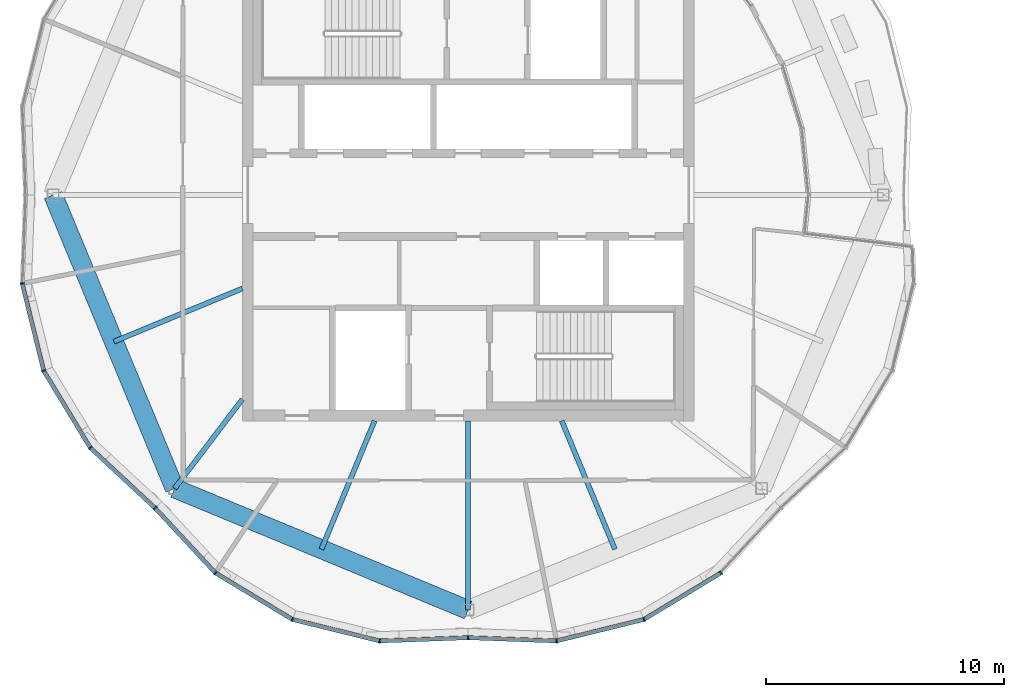
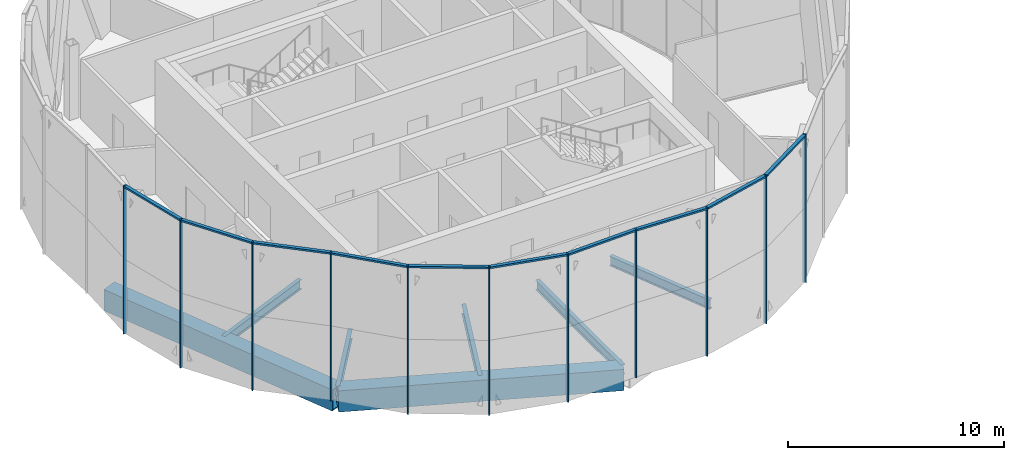
# One storey, part 3 of 24: 21 members, 7 beams, 3 elements without a shape of their own.
"""IFC4 building model written with IfcOpenShell, lengths in metres."""

from ifc_helpers import new_model, si_unit, direction, frame, origin, origin_2d, place, context, subcontext, project, spatial, rectangle, hollow_rectangle, i_section, extrude, material, material_profile, profile_set, type_object, element, aggregate, save


model = new_model("IFC4")

# Units and contexts
model_context = context("Model", 3, precision=1e-05, world=origin(), true_north=direction((0.0, 1.0)))
body_context = subcontext(model_context, "Body", "Model", "MODEL_VIEW")
ifc_project = project(units=[si_unit("LENGTHUNIT", "METRE"), si_unit("AREAUNIT", "SQUARE_METRE"), si_unit("VOLUMEUNIT", "CUBIC_METRE"), si_unit("PLANEANGLEUNIT", "RADIAN"), si_unit("MASSUNIT", "GRAM", prefix="KILO")], contexts=[model_context])

# Site, building, storey
site_placement = place(None, origin())
site = spatial("IfcSite", under=ifc_project, at=site_placement, CompositionType="ELEMENT")
building_placement = place(site_placement, origin())
building = spatial("IfcBuilding", under=site, at=building_placement, Name="Ogive Gate Towers", CompositionType="ELEMENT")
storey_placement = place(building_placement, frame((0.0, 0.0, 277.199951171875)))
storey = spatial("IfcBuildingStorey", under=building, at=storey_placement, Name="L65", CompositionType="ELEMENT", Elevation=277.199951171875)

# Beams
ifc_material_1 = material(Name="Steel SM460", Category="steel")
ifc_material_profile_1 = material_profile(ifc_material_1, hollow_rectangle(XDim=0.800048828125, YDim=1.199951171875, WallThickness=0.050048828125, at=origin_2d()), Name="BX 1200x800x50")
ifc_profile_set_1 = profile_set([ifc_material_profile_1], Name="Steel SM460")
beam_type_1 = type_object("IfcBeamType", Name="Edge girder BX 1200x800x50", PredefinedType="BEAM", material=ifc_profile_set_1)
for number, where, z_axis, x_axis, name in (
    (1, (-48.342529296875, -12.342529296875, -0.89990234375), (0.923876732551, -0.382690191996, 0.0), (0.382690191996, 0.923876732551, 0.0), "T1/L65/SBM017"),
    (2, (-53.455078125, 0.0, -0.89990234375), (0.382690191996, -0.923876732551, 0.0), (0.923876732551, 0.382690191996, 0.0), "T1/L65/SBM024"),
):
    element("IfcBeam", number, at=place(storey_placement, frame(where, z_axis=z_axis, x_axis=x_axis)), inside=storey, type_object=beam_type_1, Name=name, PredefinedType="BEAM", context=body_context, shape_type="SweptSolid", body=[
        extrude(hollow_rectangle(XDim=0.800048828125, YDim=1.199951171875, WallThickness=0.050048828125, at=origin_2d()), origin(), (0.0, 0.0, 1.0), 13.359619140625),
    ])
ifc_material_2 = material(Name="Steel SM355", Category="steel")
ifc_material_profile_2 = material_profile(ifc_material_2, i_section(OverallWidth=0.2099609375, OverallDepth=0.550048828125, WebThickness=0.010986328125, FlangeThickness=0.01708984375, FilletRadius=0.02392578125, at=origin_2d()), Name="IPE 550")
ifc_profile_set_2 = profile_set([ifc_material_profile_2], Name="Steel SM355")
beam_type_2 = type_object("IfcBeamType", Name="Radial floor beam IPE 550", PredefinedType="BEAM", material=ifc_profile_set_2)
beam_1_placement = place(storey_placement, frame((-45.5, -8.60009765625, -0.574951171875), z_axis=(-0.604851417257, -0.796338347087, 0.0), x_axis=(0.796338347087, -0.604851417257, 0.0)))
element("IfcBeam", 3, at=beam_1_placement, inside=storey, type_object=beam_type_2, Name="T1/L65/SBM001", PredefinedType="BEAM", context=body_context, shape_type="SweptSolid", body=[
    extrude(i_section(OverallWidth=0.2099609375, OverallDepth=0.550048828125, WebThickness=0.010986328125, FlangeThickness=0.01708984375, FilletRadius=0.02392578125, at=origin_2d()), origin(), (0.0, 0.0, 1.0), 4.699462890625),
])
beam_2_placement = place(storey_placement, frame((-39.93505859375, -9.5, -0.574951171875), z_axis=(-0.382701102209, -0.923872213225, 0.0), x_axis=(0.923872213225, -0.382701102209, 0.0)))
element("IfcBeam", 4, at=beam_2_placement, inside=storey, type_object=beam_type_2, Name="T1/L65/SBM002", PredefinedType="BEAM", context=body_context, shape_type="SweptSolid", body=[
    extrude(i_section(OverallWidth=0.2099609375, OverallDepth=0.550048828125, WebThickness=0.010986328125, FlangeThickness=0.01708984375, FilletRadius=0.02392578125, at=origin_2d()), origin(), (0.0, 0.0, 1.0), 5.843505859375),
])
beam_3_placement = place(storey_placement, frame((-36.0, -9.5, -0.574951171875), z_axis=(0.0, -1.0, 0.0), x_axis=(1.0, 0.0, 0.0)))
element("IfcBeam", 5, at=beam_3_placement, inside=storey, type_object=beam_type_2, Name="T1/L65/SBM003", PredefinedType="BEAM", context=body_context, shape_type="SweptSolid", body=[
    extrude(i_section(OverallWidth=0.2099609375, OverallDepth=0.550048828125, WebThickness=0.010986328125, FlangeThickness=0.01708984375, FilletRadius=0.02392578125, at=origin_2d()), origin(), (0.0, 0.0, 1.0), 7.955078125),
])
for number, where, z_axis, x_axis, name in (
    (6, (-32.06494140625, -9.5, -0.574951171875), (0.382701102209, -0.923872213225, 0.0), (0.923872213225, 0.382701102209, 0.0), "T1/L65/SBM004"),
    (7, (-45.5, -3.93505859375, -0.574951171875), (-0.923872213225, -0.382701102209, 0.0), (0.382701102209, -0.923872213225, 0.0), "T1/L65/SBM016"),
):
    element("IfcBeam", number, at=place(storey_placement, frame(where, z_axis=z_axis, x_axis=x_axis)), inside=storey, type_object=beam_type_2, Name=name, PredefinedType="BEAM", context=body_context, shape_type="SweptSolid", body=[
        extrude(i_section(OverallWidth=0.2099609375, OverallDepth=0.550048828125, WebThickness=0.010986328125, FlangeThickness=0.01708984375, FilletRadius=0.02392578125, at=origin_2d()), origin(), (0.0, 0.0, 1.0), 5.843505859375),
    ])

# Curtain wall, members
ifc_material_3 = material(Name="Pale metal aluminium", Category="aluminium")
curtain_wall_type = type_object("IfcCurtainWallType", Name="Tower unitised wall, high zone", PredefinedType="NOTDEFINED", material=ifc_material_3)
curtain_wall_1_placement = place(storey_placement, origin())
curtain_wall_1 = element("IfcCurtainWall", 8, at=curtain_wall_1_placement, inside=storey, type_object=curtain_wall_type, Name="CW2 T1 ECW07", PredefinedType="NOTDEFINED")
ifc_material_profile_3 = material_profile(ifc_material_3, rectangle(XDim=0.179931640625, YDim=0.06005859375, at=origin_2d()), Name="60 x 180 aluminium box")
ifc_profile_set_3 = profile_set([ifc_material_profile_3], Name="Pale metal aluminium")
member_type_1 = type_object("IfcMemberType", Name="Tower unitised wall, high zone mullion 60 x 180", PredefinedType="MULLION", material=ifc_profile_set_3)
member_1_placement = place(storey_placement, frame((-49.166015625, -13.16650390625, -0.300048828125), z_axis=(0.0, 0.0, 1.0), x_axis=(0.680963751951, 0.732317122925, 0.0)))
member_1 = element("IfcMember", 9, at=member_1_placement, type_object=member_type_1, Name="CW2 mullion", PredefinedType="MULLION", context=body_context, shape_type="SweptSolid", body=[
    extrude(rectangle(XDim=0.179931640625, YDim=0.06005859375, at=origin_2d()), origin(), (0.0, 0.0, 1.0), 8.400146484375),
])
member_2_placement = place(storey_placement, frame((-51.892333984375, -10.63134765625, -0.300048828125), z_axis=(0.0, 0.0, 1.0), x_axis=(0.775782162127, 0.631000821652, 0.0)))
member_2 = element("IfcMember", 10, at=member_2_placement, type_object=member_type_1, Name="CW2 mullion", PredefinedType="MULLION", context=body_context, shape_type="SweptSolid", body=[
    extrude(rectangle(XDim=0.179931640625, YDim=0.06005859375, at=origin_2d()), origin(), (0.0, 0.0, 1.0), 8.400146484375),
])
member_3_placement = place(storey_placement, frame((-53.850341796875, -7.393798828125, -0.300048828125), z_axis=(0.0, 0.0, 1.0), x_axis=(0.923879532511, 0.382683432365, 0.0)))
member_3 = element("IfcMember", 11, at=member_3_placement, type_object=member_type_1, Name="CW2 mullion", PredefinedType="MULLION", context=body_context, shape_type="SweptSolid", body=[
    extrude(rectangle(XDim=0.179931640625, YDim=0.06005859375, at=origin_2d()), origin(), (0.0, 0.0, 1.0), 8.400146484375),
])
member_4_placement = place(storey_placement, frame((-54.755126953125, -3.719970703125, -0.300048828125), z_axis=(0.0, 0.0, 1.0), x_axis=(0.99474400054, 0.102393229213, 0.0)))
member_4 = element("IfcMember", 12, at=member_4_placement, type_object=member_type_1, Name="CW2 mullion", PredefinedType="MULLION", context=body_context, shape_type="SweptSolid", body=[
    extrude(rectangle(XDim=0.179931640625, YDim=0.06005859375, at=origin_2d()), origin(), (0.0, 0.0, 1.0), 8.400146484375),
])

curtain_wall_2_placement = place(storey_placement, origin())
curtain_wall_2 = element("IfcCurtainWall", 13, at=curtain_wall_2_placement, inside=storey, type_object=curtain_wall_type, Name="CW2 T1 ECW08", PredefinedType="NOTDEFINED")
member_5_placement = place(storey_placement, frame((-35.99951171875, -18.6201171875, -0.300048828125), z_axis=(0.0, 0.0, 1.0), x_axis=(-0.036294875066, 0.999341123963, 0.0)))
member_5 = element("IfcMember", 14, at=member_5_placement, type_object=member_type_1, Name="CW2 mullion", PredefinedType="MULLION", context=body_context, shape_type="SweptSolid", body=[
    extrude(rectangle(XDim=0.179931640625, YDim=0.06005859375, at=origin_2d()), origin(), (0.0, 0.0, 1.0), 8.400146484375),
])
member_6_placement = place(storey_placement, frame((-39.719970703125, -18.755126953125, -0.300048828125), z_axis=(0.0, 0.0, 1.0), x_axis=(0.102393229213, 0.99474400054, 0.0)))
member_6 = element("IfcMember", 15, at=member_6_placement, type_object=member_type_1, Name="CW2 mullion", PredefinedType="MULLION", context=body_context, shape_type="SweptSolid", body=[
    extrude(rectangle(XDim=0.179931640625, YDim=0.06005859375, at=origin_2d()), origin(), (0.0, 0.0, 1.0), 8.400146484375),
])
member_7_placement = place(storey_placement, frame((-43.393798828125, -17.850341796875, -0.300048828125), z_axis=(0.0, 0.0, 1.0), x_axis=(0.382683432365, 0.923879532511, 0.0)))
member_7 = element("IfcMember", 16, at=member_7_placement, type_object=member_type_1, Name="CW2 mullion", PredefinedType="MULLION", context=body_context, shape_type="SweptSolid", body=[
    extrude(rectangle(XDim=0.179931640625, YDim=0.06005859375, at=origin_2d()), origin(), (0.0, 0.0, 1.0), 8.400146484375),
])
member_8_placement = place(storey_placement, frame((-46.63134765625, -15.892333984375, -0.300048828125), z_axis=(0.0, 0.0, 1.0), x_axis=(0.631000821652, 0.775782162127, 0.0)))
member_8 = element("IfcMember", 17, at=member_8_placement, type_object=member_type_1, Name="CW2 mullion", PredefinedType="MULLION", context=body_context, shape_type="SweptSolid", body=[
    extrude(rectangle(XDim=0.179931640625, YDim=0.06005859375, at=origin_2d()), origin(), (0.0, 0.0, 1.0), 8.400146484375),
])

curtain_wall_3_placement = place(storey_placement, origin())
curtain_wall_3 = element("IfcCurtainWall", 18, at=curtain_wall_3_placement, inside=storey, type_object=curtain_wall_type, Name="CW2 T1 ECW09", PredefinedType="NOTDEFINED")
member_9_placement = place(storey_placement, frame((-25.36865234375, -15.892333984375, -0.300048828125), z_axis=(0.0, 0.0, 1.0), x_axis=(-0.631000821652, 0.775782162127, 0.0)))
member_9 = element("IfcMember", 19, at=member_9_placement, type_object=member_type_1, Name="CW2 mullion", PredefinedType="MULLION", context=body_context, shape_type="SweptSolid", body=[
    extrude(rectangle(XDim=0.179931640625, YDim=0.06005859375, at=origin_2d()), origin(), (0.0, 0.0, 1.0), 8.400146484375),
])
member_10_placement = place(storey_placement, frame((-28.606201171875, -17.850341796875, -0.300048828125), z_axis=(0.0, 0.0, 1.0), x_axis=(-0.382683432365, 0.923879532511, 0.0)))
member_10 = element("IfcMember", 20, at=member_10_placement, type_object=member_type_1, Name="CW2 mullion", PredefinedType="MULLION", context=body_context, shape_type="SweptSolid", body=[
    extrude(rectangle(XDim=0.179931640625, YDim=0.06005859375, at=origin_2d()), origin(), (0.0, 0.0, 1.0), 8.400146484375),
])
member_11_placement = place(storey_placement, frame((-32.280029296875, -18.755126953125, -0.300048828125), z_axis=(0.0, 0.0, 1.0), x_axis=(-0.102393229213, 0.99474400054, 0.0)))
member_11 = element("IfcMember", 21, at=member_11_placement, type_object=member_type_1, Name="CW2 mullion", PredefinedType="MULLION", context=body_context, shape_type="SweptSolid", body=[
    extrude(rectangle(XDim=0.179931640625, YDim=0.06005859375, at=origin_2d()), origin(), (0.0, 0.0, 1.0), 8.400146484375),
])

# Member
ifc_material_profile_4 = material_profile(ifc_material_3, rectangle(XDim=0.179931640625, YDim=0.10009765625, at=origin_2d()), Name="100 x 180 aluminium box")
ifc_profile_set_4 = profile_set([ifc_material_profile_4], Name="Pale metal aluminium")
member_type_2 = type_object("IfcMemberType", Name="Tower unitised wall, high zone transom 100 x 180", PredefinedType="USERDEFINED", material=ifc_profile_set_4)
member_12_placement = place(storey_placement, frame((-49.18798828125, -13.146240234375, 8.050048828125), z_axis=(-0.732311225366, 0.680970094206, 0.0), x_axis=(-0.680970094206, -0.732311225366, 0.0)))
member_12 = element("IfcMember", 22, at=member_12_placement, type_object=member_type_2, Name="CW2 transom", ObjectType="TRANSOM", PredefinedType="USERDEFINED", context=body_context, shape_type="SweptSolid", body=[
    extrude(rectangle(XDim=0.179931640625, YDim=0.10009765625, at=origin_2d()), origin(), (0.0, 0.0, 1.0), 3.66162109375),
])

member_13_placement = place(storey_placement, frame((-51.90869140625, -10.6044921875, 8.050048828125), z_axis=(-0.51753219803, 0.855663733018, 0.0), x_axis=(-0.855663733018, -0.51753219803, 0.0)))
member_13 = element("IfcMember", 23, at=member_13_placement, type_object=member_type_2, Name="CW2 transom", ObjectType="TRANSOM", PredefinedType="USERDEFINED", context=body_context, shape_type="SweptSolid", body=[
    extrude(rectangle(XDim=0.179931640625, YDim=0.10009765625, at=origin_2d()), origin(), (0.0, 0.0, 1.0), 3.720703125),
])

member_14_placement = place(storey_placement, frame((-53.858154296875, -7.36328125, 8.050048828125), z_axis=(-0.239106612946, 0.970993320083, 0.0), x_axis=(-0.970993320083, -0.239106612946, 0.0)))
member_14 = element("IfcMember", 24, at=member_14_placement, type_object=member_type_2, Name="CW2 transom", ObjectType="TRANSOM", PredefinedType="USERDEFINED", context=body_context, shape_type="SweptSolid", body=[
    extrude(rectangle(XDim=0.179931640625, YDim=0.10009765625, at=origin_2d()), origin(), (0.0, 0.0, 1.0), 3.720703125),
])

aggregate(curtain_wall_1, [member_1, member_2, member_12, member_3, member_13, member_4, member_14])

member_15_placement = place(storey_placement, frame((-36.029541015625, -18.62109375, 8.050048828125), z_axis=(-0.999339541971, -0.036338407418, 0.0), x_axis=(0.036338407418, -0.999339541971, 0.0)))
member_15 = element("IfcMember", 25, at=member_15_placement, type_object=member_type_2, Name="CW2 transom", ObjectType="TRANSOM", PredefinedType="USERDEFINED", context=body_context, shape_type="SweptSolid", body=[
    extrude(rectangle(XDim=0.179931640625, YDim=0.10009765625, at=origin_2d()), origin(), (0.0, 0.0, 1.0), 3.66162109375),
])

member_16_placement = place(storey_placement, frame((-39.75048828125, -18.747802734375, 8.050048828125), z_axis=(-0.970993320083, 0.239106612946, 0.0), x_axis=(-0.239106612946, -0.970993320083, 0.0)))
member_16 = element("IfcMember", 26, at=member_16_placement, type_object=member_type_2, Name="CW2 transom", ObjectType="TRANSOM", PredefinedType="USERDEFINED", context=body_context, shape_type="SweptSolid", body=[
    extrude(rectangle(XDim=0.179931640625, YDim=0.10009765625, at=origin_2d()), origin(), (0.0, 0.0, 1.0), 3.720703125),
])

member_17_placement = place(storey_placement, frame((-43.4208984375, -17.834228515625, 8.050048828125), z_axis=(-0.855663733018, 0.51753219803, 0.0), x_axis=(-0.51753219803, -0.855663733018, 0.0)))
member_17 = element("IfcMember", 27, at=member_17_placement, type_object=member_type_2, Name="CW2 transom", ObjectType="TRANSOM", PredefinedType="USERDEFINED", context=body_context, shape_type="SweptSolid", body=[
    extrude(rectangle(XDim=0.179931640625, YDim=0.10009765625, at=origin_2d()), origin(), (0.0, 0.0, 1.0), 3.720703125),
])

member_18_placement = place(storey_placement, frame((-46.65283203125, -15.869384765625, 8.050048828125), z_axis=(-0.680970094206, 0.732311225366, 0.0), x_axis=(-0.732311225366, -0.680970094206, 0.0)))
member_18 = element("IfcMember", 28, at=member_18_placement, type_object=member_type_2, Name="CW2 transom", ObjectType="TRANSOM", PredefinedType="USERDEFINED", context=body_context, shape_type="SweptSolid", body=[
    extrude(rectangle(XDim=0.179931640625, YDim=0.10009765625, at=origin_2d()), origin(), (0.0, 0.0, 1.0), 3.66162109375),
])

aggregate(curtain_wall_2, [member_5, member_6, member_15, member_7, member_16, member_8, member_17, member_18])

member_19_placement = place(storey_placement, frame((-25.3955078125, -15.90869140625, 8.050048828125), z_axis=(-0.855663733018, -0.51753219803, 0.0), x_axis=(0.51753219803, -0.855663733018, 0.0)))
member_19 = element("IfcMember", 29, at=member_19_placement, type_object=member_type_2, Name="CW2 transom", ObjectType="TRANSOM", PredefinedType="USERDEFINED", context=body_context, shape_type="SweptSolid", body=[
    extrude(rectangle(XDim=0.179931640625, YDim=0.10009765625, at=origin_2d()), origin(), (0.0, 0.0, 1.0), 3.720703125),
])

member_20_placement = place(storey_placement, frame((-28.63671875, -17.858154296875, 8.050048828125), z_axis=(-0.970993320083, -0.239106612946, 0.0), x_axis=(0.239106612946, -0.970993320083, 0.0)))
member_20 = element("IfcMember", 30, at=member_20_placement, type_object=member_type_2, Name="CW2 transom", ObjectType="TRANSOM", PredefinedType="USERDEFINED", context=body_context, shape_type="SweptSolid", body=[
    extrude(rectangle(XDim=0.179931640625, YDim=0.10009765625, at=origin_2d()), origin(), (0.0, 0.0, 1.0), 3.720703125),
])

member_21_placement = place(storey_placement, frame((-32.311279296875, -18.754150390625, 8.050048828125), z_axis=(-0.999339541971, 0.036338407418, 0.0), x_axis=(-0.036338407418, -0.999339541971, 0.0)))
member_21 = element("IfcMember", 31, at=member_21_placement, type_object=member_type_2, Name="CW2 transom", ObjectType="TRANSOM", PredefinedType="USERDEFINED", context=body_context, shape_type="SweptSolid", body=[
    extrude(rectangle(XDim=0.179931640625, YDim=0.10009765625, at=origin_2d()), origin(), (0.0, 0.0, 1.0), 3.66162109375),
])

aggregate(curtain_wall_3, [member_9, member_10, member_19, member_11, member_20, member_21])

save(model, "model.ifc")
